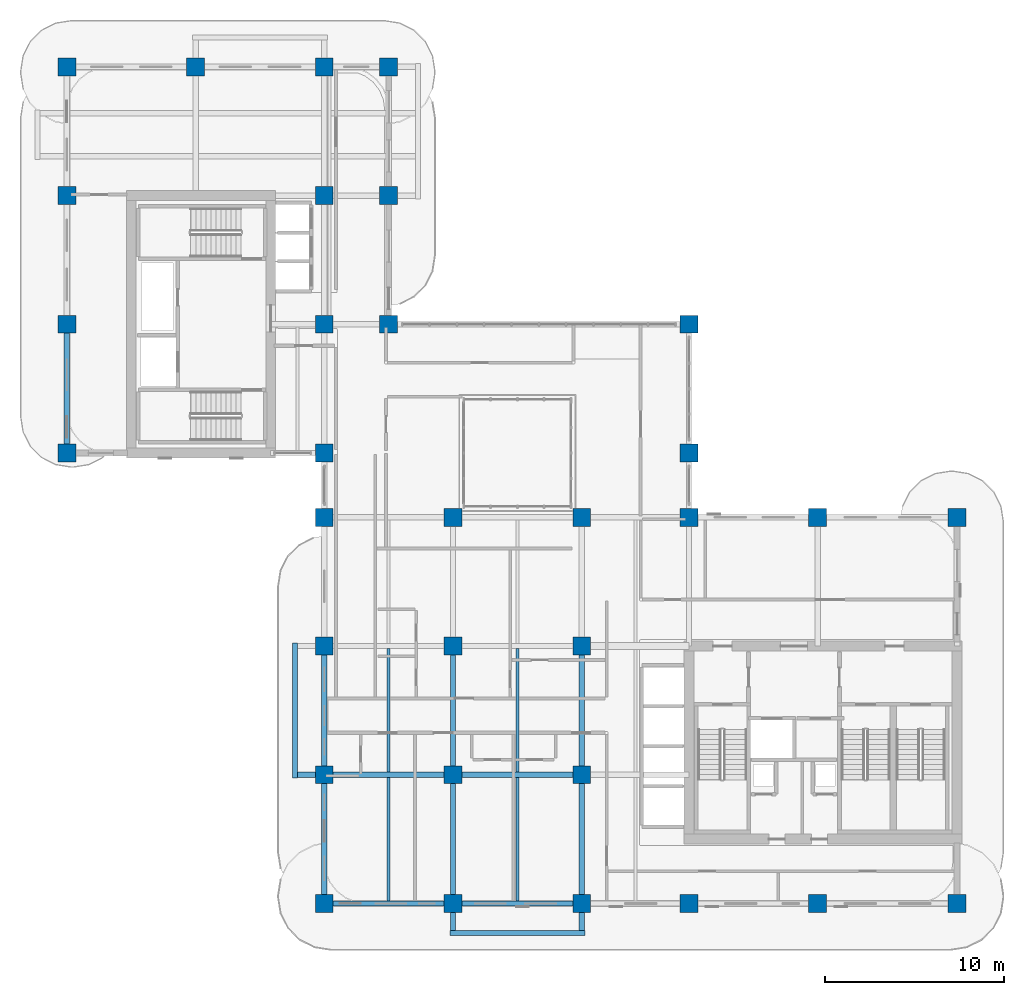
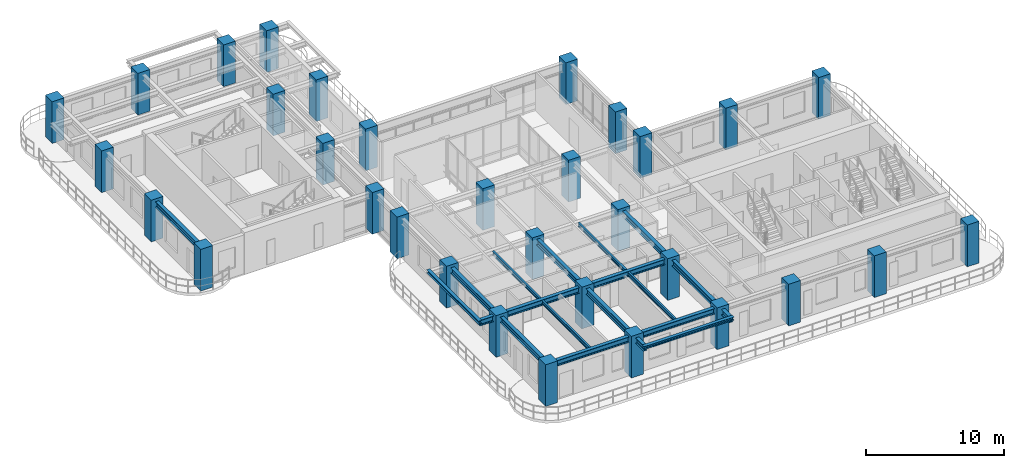
# One storey, part 1 of 20: 32 columns, 17 beams.
"""IFC4 building model written with IfcOpenShell, lengths in metres."""

from ifc_helpers import new_model, si_unit, derived_unit, direction, frame, origin, origin_2d, place, context, subcontext, project, spatial, rectangle, i_section, extrude, source, transform, mapped, material, material_profile, profile_set, type_object, type_shapes, element, save


model = new_model("IFC4")

# Units and contexts
model_context = context("Model", 3, precision=1e-05, world=origin(), true_north=direction((0.0, 1.0)))
body_context = subcontext(model_context, "Body", "Model", "MODEL_VIEW")
ifc_project = project(units=[si_unit("LENGTHUNIT", "METRE"), si_unit("AREAUNIT", "SQUARE_METRE"), si_unit("VOLUMEUNIT", "CUBIC_METRE"), si_unit("PLANEANGLEUNIT", "RADIAN"), si_unit("MASSUNIT", "GRAM", prefix="KILO"), si_unit("THERMODYNAMICTEMPERATUREUNIT", "KELVIN"), si_unit("POWERUNIT", "WATT"), derived_unit("THERMALTRANSMITTANCEUNIT", [(si_unit("POWERUNIT", "WATT"), 1), (si_unit("AREAUNIT", "SQUARE_METRE"), -1), (si_unit("THERMODYNAMICTEMPERATUREUNIT", "KELVIN"), -1)])], contexts=[model_context])

# Site, building, storey
site_placement = place(None, origin())
site = spatial("IfcSite", under=ifc_project, at=site_placement, CompositionType="ELEMENT")
building_placement = place(site_placement, origin())
building = spatial("IfcBuilding", under=site, at=building_placement, Name="Zahravan Archway Hotel and Residences", CompositionType="ELEMENT")
storey_placement = place(building_placement, frame((0.0, 0.0, 130.300048828125)))
storey = spatial("IfcBuildingStorey", under=building, at=storey_placement, Name="L32", CompositionType="ELEMENT", Elevation=130.300048828125)

# Columns
ifc_material_1 = material(Name="Concrete C60/75", Category="concrete")
ifc_material_profile_1 = material_profile(ifc_material_1, rectangle(XDim=1.0, YDim=1.0, at=origin_2d()), Name="RC-COL-1000x1000", Category="concrete")
ifc_profile_set_1 = profile_set([ifc_material_profile_1], Name="Concrete C60/75")
column_type = type_object("IfcColumnType", Name="COL-RC-1000", PredefinedType="COLUMN", material=ifc_profile_set_1)
shared_shape_1 = source(origin(), body_context, "Body", "SweptSolid", [
    extrude(rectangle(XDim=1.0, YDim=1.0, at=origin_2d()), origin(), (0.0, 0.0, 1.0), 3.699951171875),
])
type_shapes(column_type, [shared_shape_1])
for number, where, z_axis, x_axis, name in (
    (1, (0.0, 25.199951171875, 0.0), (0.0, 0.0, 1.0), (1.0, 0.0, 0.0), "L32 Column 1-E"),
    (2, (0.0, 32.39990234375, 0.0), (0.0, 0.0, 1.0), (1.0, 0.0, 0.0), "L32 Column 1-F"),
    (3, (0.0, 39.60009765625, 0.0), (0.0, 0.0, 1.0), (1.0, 0.0, 0.0), "L32 Column 1-G"),
    (4, (0.0, 46.800048828125, 0.0), (0.0, 0.0, 1.0), (1.0, 0.0, 0.0), "L32 Column 1-H"),
    (5, (7.199951171875, 46.800048828125, 0.0), (0.0, 0.0, 1.0), (1.0, 0.0, 0.0), "L32 Column 2-H"),
    (6, (14.39990234375, 0.0, 0.0), (0.0, 0.0, 1.0), (1.0, 0.0, 0.0), "L32 Column 3-A"),
    (7, (14.39990234375, 7.199951171875, 0.0), (0.0, 0.0, 1.0), (1.0, 0.0, 0.0), "L32 Column 3-B"),
    (8, (14.39990234375, 14.39990234375, 0.0), (0.0, 0.0, 1.0), (1.0, 0.0, 0.0), "L32 Column 3-C"),
    (9, (14.39990234375, 21.60009765625, 0.0), (0.0, 0.0, 1.0), (1.0, 0.0, 0.0), "L32 Column 3-D"),
    (10, (14.39990234375, 25.199951171875, 0.0), (0.0, 0.0, 1.0), (1.0, 0.0, 0.0), "L32 Column 3-E"),
    (11, (14.39990234375, 32.39990234375, 0.0), (0.0, 0.0, 1.0), (1.0, 0.0, 0.0), "L32 Column 3-F"),
    (12, (14.39990234375, 39.60009765625, 0.0), (0.0, 0.0, 1.0), (1.0, 0.0, 0.0), "L32 Column 3-G"),
    (13, (14.39990234375, 46.800048828125, 0.0), (0.0, 0.0, 1.0), (1.0, 0.0, 0.0), "L32 Column 3-H"),
    (14, (21.60009765625, 0.0, 0.0), (0.0, 0.0, 1.0), (1.0, 0.0, 0.0), "L32 Column 4-A"),
    (15, (21.60009765625, 7.199951171875, 0.0), (0.0, 0.0, 1.0), (1.0, 0.0, 0.0), "L32 Column 4-B"),
    (16, (21.60009765625, 14.39990234375, 0.0), (0.0, 0.0, 1.0), (1.0, 0.0, 0.0), "L32 Column 4-C"),
    (17, (21.60009765625, 21.60009765625, 0.0), (0.0, 0.0, 1.0), (1.0, 0.0, 0.0), "L32 Column 4-D"),
    (18, (28.800048828125, 0.0, 0.0), (0.0, 0.0, 1.0), (1.0, 0.0, 0.0), "L32 Column 5-A"),
    (19, (28.800048828125, 7.199951171875, 0.0), (0.0, 0.0, 1.0), (1.0, 0.0, 0.0), "L32 Column 5-B"),
    (20, (28.800048828125, 14.39990234375, 0.0), (0.0, 0.0, 1.0), (1.0, 0.0, 0.0), "L32 Column 5-C"),
    (21, (28.800048828125, 21.60009765625, 0.0), (0.0, 0.0, 1.0), (1.0, 0.0, 0.0), "L32 Column 5-D"),
    (22, (34.800048828125, 0.0, 0.0), (0.0, 0.0, 1.0), (1.0, 0.0, 0.0), "L32 Column 6-A"),
    (23, (34.800048828125, 21.60009765625, 0.0), (0.0, 0.0, 1.0), (1.0, 0.0, 0.0), "L32 Column 6-D"),
    (24, (34.800048828125, 25.199951171875, 0.0), (0.0, 0.0, 1.0), (1.0, 0.0, 0.0), "L32 Column 6-E"),
    (25, (34.800048828125, 32.39990234375, 0.0), (0.0, 0.0, 1.0), (1.0, 0.0, 0.0), "L32 Column 6-F"),
    (26, (42.0, 0.0, 0.0), (0.0, 0.0, 1.0), (1.0, 0.0, 0.0), "L32 Column 7-A"),
    (27, (42.0, 21.60009765625, 0.0), (0.0, 0.0, 1.0), (1.0, 0.0, 0.0), "L32 Column 7-D"),
    (28, (49.800048828125, 0.0, 0.0), (0.0, 0.0, 1.0), (1.0, 0.0, 0.0), "L32 Column 8-A"),
    (29, (49.800048828125, 21.60009765625, 0.0), (0.0, 0.0, 1.0), (1.0, 0.0, 0.0), "L32 Column 8-D"),
    (30, (18.0, 32.39990234375, 0.0), (0.0, 0.0, 1.0), (1.0, 0.0, 0.0), "L32 Column 3B-F"),
    (31, (18.0, 39.60009765625, 0.0), (0.0, 0.0, 1.0), (1.0, 0.0, 0.0), "L32 Column 3B-G"),
    (32, (18.0, 46.800048828125, 0.0), (0.0, 0.0, 1.0), (1.0, 0.0, 0.0), "L32 Column 3B-H"),
):
    element("IfcColumn", number, at=place(storey_placement, frame(where, z_axis=z_axis, x_axis=x_axis)), inside=storey, type_object=column_type, Name=name, PredefinedType="COLUMN", context=body_context, shape_type="MappedRepresentation", body=[
        mapped(shared_shape_1, transform((0.0, 0.0, 0.0), scale=1.0)),
    ])

# Beams
ifc_material_2 = material(Name="Structural Steel S355JR", Category="steel")
ifc_material_profile_2 = material_profile(ifc_material_2, i_section(OverallWidth=0.280029296875, OverallDepth=0.280029296875, WebThickness=0.010498046875, FlangeThickness=0.01806640625, FilletRadius=0.02392578125, at=origin_2d()), Name="HEB 280", Category="steel")
ifc_profile_set_2 = profile_set([ifc_material_profile_2], Name="Structural Steel S355JR")
beam_type_1 = type_object("IfcBeamType", Name="BM-SPN-HEB280", PredefinedType="SPANDREL", material=ifc_profile_set_2)
shared_shape_2 = source(origin(), body_context, "Body", "SweptSolid", [
    extrude(i_section(OverallWidth=0.280029296875, OverallDepth=0.280029296875, WebThickness=0.010498046875, FlangeThickness=0.01806640625, FilletRadius=0.02392578125, at=origin_2d()), origin(), (0.0, 0.0, 1.0), 7.56005859375),
])
type_shapes(beam_type_1, [shared_shape_2])
for number, where, z_axis, x_axis, name in (
    (33, (12.75, 7.02001953125, 3.31005859375), (0.0, 1.0, 0.0), (-1.0, 0.0, 0.0), "L33 WA Balcony Edge Spandrel"),
    (34, (21.419921875, -1.64990234375, 3.31005859375), (1.0, 0.0, 0.0), (0.0, 1.0, 0.0), "L33 SA Balcony Edge Spandrel"),
):
    element("IfcBeam", number, at=place(storey_placement, frame(where, z_axis=z_axis, x_axis=x_axis)), inside=storey, type_object=beam_type_1, Name=name, PredefinedType="SPANDREL", context=body_context, shape_type="MappedRepresentation", body=[
        mapped(shared_shape_2, transform((0.0, 0.0, 0.0), scale=1.0)),
    ])
ifc_material_profile_3 = material_profile(ifc_material_2, i_section(OverallWidth=0.300048828125, OverallDepth=0.5, WebThickness=0.014404296875, FlangeThickness=0.028076171875, FilletRadius=0.027099609375, at=origin_2d()), Name="HEB 500", Category="steel")
ifc_profile_set_3 = profile_set([ifc_material_profile_3], Name="Structural Steel S355JR")
beam_type_2 = type_object("IfcBeamType", Name="BM-PRI-HEB500", PredefinedType="BEAM", material=ifc_profile_set_3)
shared_shape_3 = source(origin(), body_context, "Body", "SweptSolid", [
    extrude(i_section(OverallWidth=0.300048828125, OverallDepth=0.5, WebThickness=0.014404296875, FlangeThickness=0.028076171875, FilletRadius=0.027099609375, at=origin_2d()), origin(), (0.0, 0.0, 1.0), 7.2001953125),
])
type_shapes(beam_type_2, [shared_shape_3])
beam_1_placement = place(storey_placement, frame((14.39990234375, 0.0, 3.199951171875), z_axis=(1.0, 0.0, 0.0), x_axis=(0.0, 1.0, 0.0)))
element("IfcBeam", 35, at=beam_1_placement, inside=storey, type_object=beam_type_2, Name="L32 Primary Girder EW-01", PredefinedType="BEAM", context=body_context, shape_type="MappedRepresentation", body=[
    mapped(shared_shape_3, transform((0.0, 0.0, 0.0), scale=1.0)),
])
shared_shape_4 = source(origin(), body_context, "Body", "SweptSolid", [
    extrude(i_section(OverallWidth=0.300048828125, OverallDepth=0.5, WebThickness=0.014404296875, FlangeThickness=0.028076171875, FilletRadius=0.027099609375, at=origin_2d()), origin(), (0.0, 0.0, 1.0), 7.199951171875),
])
for number, where, z_axis, x_axis, name in (
    (36, (21.60009765625, 0.0, 3.199951171875), (1.0, 0.0, 0.0), (0.0, 1.0, 0.0), "L32 Primary Girder EW-02"),
    (37, (21.60009765625, 7.199951171875, 3.199951171875), (1.0, 0.0, 0.0), (0.0, 1.0, 0.0), "L32 Primary Girder EW-07"),
    (38, (0.0, 25.199951171875, 3.199951171875), (0.0, 1.0, 0.0), (-1.0, 0.0, 0.0), "L32 Primary Girder NS-24"),
    (39, (14.39990234375, 0.0, 3.199951171875), (0.0, 1.0, 0.0), (-1.0, 0.0, 0.0), "L32 Primary Girder NS-28"),
    (40, (14.39990234375, 7.199951171875, 3.199951171875), (0.0, 1.0, 0.0), (-1.0, 0.0, 0.0), "L32 Primary Girder NS-29"),
    (41, (21.60009765625, 7.199951171875, 3.199951171875), (0.0, 1.0, 0.0), (-1.0, 0.0, 0.0), "L32 Primary Girder NS-36"),
    (42, (28.800048828125, 7.199951171875, 3.199951171875), (0.0, 1.0, 0.0), (-1.0, 0.0, 0.0), "L32 Primary Girder NS-39"),
):
    element("IfcBeam", number, at=place(storey_placement, frame(where, z_axis=z_axis, x_axis=x_axis)), inside=storey, type_object=beam_type_2, Name=name, PredefinedType="BEAM", context=body_context, shape_type="MappedRepresentation", body=[
        mapped(shared_shape_4, transform((0.0, 0.0, 0.0), scale=1.0)),
    ])
ifc_material_profile_4 = material_profile(ifc_material_2, i_section(OverallWidth=0.159912109375, OverallDepth=0.330078125, WebThickness=0.007568359375, FlangeThickness=0.011474609375, FilletRadius=0.01806640625, at=origin_2d()), Name="IPE 330", Category="steel")
ifc_profile_set_4 = profile_set([ifc_material_profile_4], Name="Structural Steel S355JR")
beam_type_3 = type_object("IfcBeamType", Name="BM-JST-IPE330", PredefinedType="JOIST", material=ifc_profile_set_4)
shared_shape_5 = source(origin(), body_context, "Body", "SweptSolid", [
    extrude(i_section(OverallWidth=0.159912109375, OverallDepth=0.330078125, WebThickness=0.007568359375, FlangeThickness=0.011474609375, FilletRadius=0.01806640625, at=origin_2d()), origin(), (0.0, 0.0, 1.0), 6.904052734375),
])
type_shapes(beam_type_3, [shared_shape_5])
for number, where, z_axis, x_axis, name in (
    (43, (18.0, 0.14794921875, 3.284912109375), (0.0, 1.0, 0.0), (-1.0, 0.0, 0.0), "L32 Composite Floor Joist 01"),
    (44, (25.199951171875, 0.14794921875, 3.284912109375), (0.0, 1.0, 0.0), (-1.0, 0.0, 0.0), "L32 Composite Floor Joist 02"),
    (45, (18.0, 7.347900390625, 3.284912109375), (0.0, 1.0, 0.0), (-1.0, 0.0, 0.0), "L32 Composite Floor Joist 04"),
    (46, (25.199951171875, 7.347900390625, 3.284912109375), (0.0, 1.0, 0.0), (-1.0, 0.0, 0.0), "L32 Composite Floor Joist 05"),
):
    element("IfcBeam", number, at=place(storey_placement, frame(where, z_axis=z_axis, x_axis=x_axis)), inside=storey, type_object=beam_type_3, Name=name, PredefinedType="JOIST", context=body_context, shape_type="MappedRepresentation", body=[
        mapped(shared_shape_5, transform((0.0, 0.0, 0.0), scale=1.0)),
    ])
shared_shape_6 = source(origin(), body_context, "Body", "SweptSolid", [
    extrude(i_section(OverallWidth=0.300048828125, OverallDepth=0.5, WebThickness=0.014404296875, FlangeThickness=0.028076171875, FilletRadius=0.027099609375, at=origin_2d()), origin(), (0.0, 0.0, 1.0), 8.85009765625),
])
beam_2_placement = place(storey_placement, frame((12.75, 7.199951171875, 3.199951171875), z_axis=(1.0, 0.0, 0.0), x_axis=(0.0, 1.0, 0.0)))
element("IfcBeam", 47, at=beam_2_placement, inside=storey, type_object=beam_type_2, Name="L32 Primary Girder EW-06", PredefinedType="BEAM", context=body_context, shape_type="MappedRepresentation", body=[
    mapped(shared_shape_6, transform((0.0, 0.0, 0.0), scale=1.0)),
])
shared_shape_7 = source(origin(), body_context, "Body", "SweptSolid", [
    extrude(i_section(OverallWidth=0.300048828125, OverallDepth=0.5, WebThickness=0.014404296875, FlangeThickness=0.028076171875, FilletRadius=0.027099609375, at=origin_2d()), origin(), (0.0, 0.0, 1.0), 8.849853515625),
])
for number, where, z_axis, x_axis, name in (
    (48, (21.60009765625, -1.64990234375, 3.199951171875), (0.0, 1.0, 0.0), (-1.0, 0.0, 0.0), "L32 Primary Girder NS-35"),
    (49, (28.800048828125, -1.64990234375, 3.199951171875), (0.0, 1.0, 0.0), (-1.0, 0.0, 0.0), "L32 Primary Girder NS-38"),
):
    element("IfcBeam", number, at=place(storey_placement, frame(where, z_axis=z_axis, x_axis=x_axis)), inside=storey, type_object=beam_type_2, Name=name, PredefinedType="BEAM", context=body_context, shape_type="MappedRepresentation", body=[
        mapped(shared_shape_7, transform((0.0, 0.0, 0.0), scale=1.0)),
    ])

save(model, "model.ifc")
